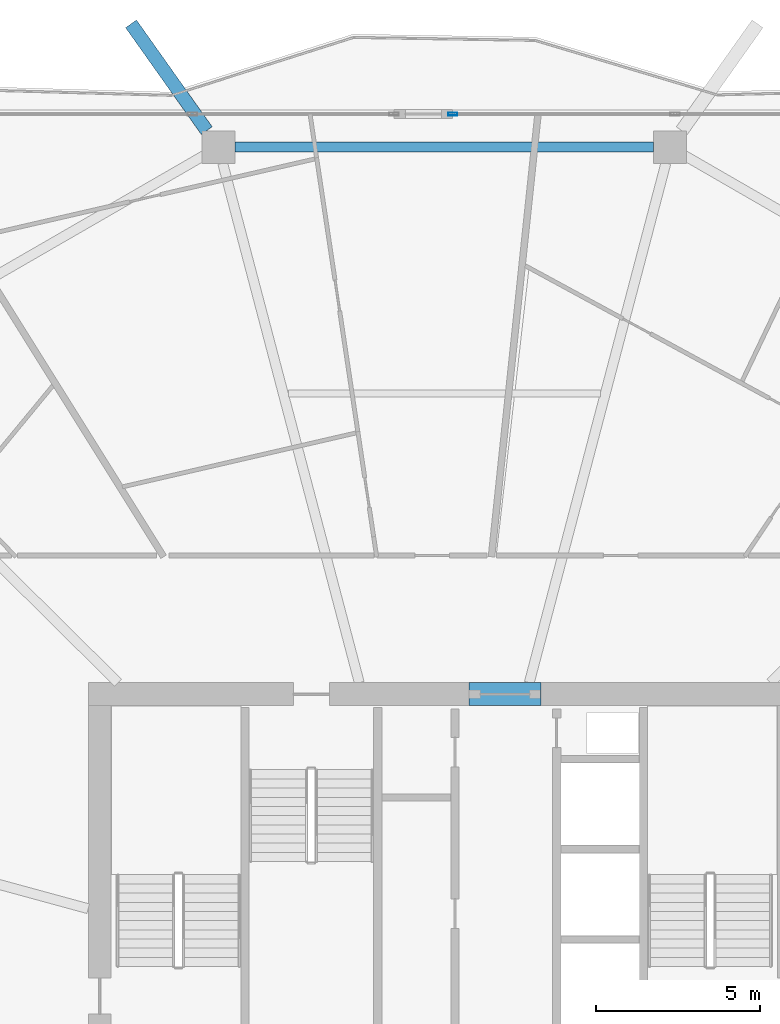
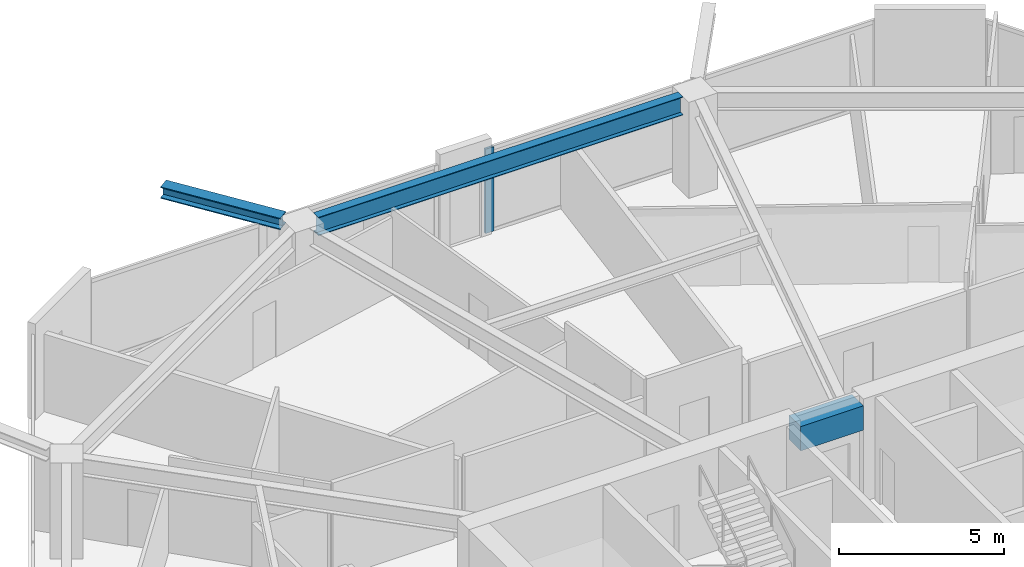
# One storey, part 14 of 27: 3 beams, 1 member, 1 element without a shape of its own.
"""IFC4 building model written with IfcOpenShell, lengths in metres."""

import ifcopenshell
import ifcopenshell.guid

model = None  # the IFC model being written
_history = None  # IfcOwnerHistory: only IFC2X3 demands one
_inside = {}  # id of a spatial element -> (the spatial element, [elements in it])
_under = {}  # id of a project, library or spatial element -> (it, [spatial elements below it])
_declared = {}  # id of a project -> (the project, [libraries it declares])
_typed = {}  # id of a type object -> (the type object, [elements of that type])
_made_of = {}  # id of a material, layer set ... -> (it, [elements and type objects made of it])


def new_model(schema):
    """Start an empty IFC model of exactly this schema.

    Asked for "IFC4X3", IfcOpenShell would pick the latest addendum, in which some entities
    have other attributes; the version numbers below select the first issue.
    IFC2X3 requires an IfcOwnerHistory on every rooted entity: one is made here for all.
    """
    global model, _history
    if schema == "IFC4X3":
        model = ifcopenshell.file(schema_version=(4, 3, 0, 0))
    else:
        model = ifcopenshell.file(schema=schema)
    _inside.clear()
    _under.clear()
    _declared.clear()
    _typed.clear()
    _made_of.clear()
    _history = None
    if model.schema == "IFC2X3":
        org = make("IfcOrganization", Name="unknown")
        user = make(
            "IfcPersonAndOrganization",
            ThePerson=make("IfcPerson", FamilyName="unknown"),
            TheOrganization=org,
        )
        app = make(
            "IfcApplication",
            ApplicationDeveloper=org,
            Version="unknown",
            ApplicationFullName="unknown",
            ApplicationIdentifier="unknown",
        )
        _history = make(
            "IfcOwnerHistory",
            OwningUser=user,
            OwningApplication=app,
            ChangeAction="ADDED",
            CreationDate=0,
        )
    return model


def make(cls, **values):
    """One entity of the class cls with the attributes given. An attribute that is None is left unset."""
    return model.create_entity(
        cls, **{name: value for name, value in values.items() if value is not None}
    )


def rooted(cls, **values):
    """An entity with a GlobalId (a new one), such as an element, a storey or a relation."""
    return make(cls, GlobalId=ifcopenshell.guid.new(), OwnerHistory=_history, **values)


def si_unit(unit_type, name, prefix=None):
    """IfcSIUnit, for example si_unit("LENGTHUNIT", "METRE", prefix="MILLI")."""
    return make("IfcSIUnit", UnitType=unit_type, Prefix=prefix, Name=name)


def assignment(units):
    """IfcUnitAssignment: the units of a project."""
    return None if units is None else make("IfcUnitAssignment", Units=units)


def point(xyz):
    """IfcCartesianPoint."""
    return None if xyz is None else make("IfcCartesianPoint", Coordinates=xyz)


def direction(xyz):
    """IfcDirection."""
    return None if xyz is None else make("IfcDirection", DirectionRatios=xyz)


def frame(location, z_axis=None, x_axis=None):
    """IfcAxis2Placement3D, a coordinate frame: its origin and axes. An axis left out is left unset."""
    return make(
        "IfcAxis2Placement3D",
        Location=point(location),
        Axis=direction(z_axis),
        RefDirection=direction(x_axis),
    )


def frame_2d(location, x_axis=None):
    """IfcAxis2Placement2D, a coordinate frame in the plane: its origin and x axis."""
    return make(
        "IfcAxis2Placement2D", Location=point(location), RefDirection=direction(x_axis)
    )


def origin():
    """The frame at (0, 0, 0) with its axes left unset."""
    return frame((0.0, 0.0, 0.0))


def origin_2d():
    """The frame at (0, 0) in the plane with its x axis left unset."""
    return frame_2d((0.0, 0.0))


def place(relative_to, where):
    """IfcLocalPlacement: puts the frame where relative to a parent placement (None: the world)."""
    return make(
        "IfcLocalPlacement", PlacementRelTo=relative_to, RelativePlacement=where
    )


def context(
    kind, dimensions, precision=None, world=None, true_north=None, identifier=None
):
    """IfcGeometricRepresentationContext, for example the 3D "Model" context."""
    return make(
        "IfcGeometricRepresentationContext",
        ContextIdentifier=identifier,
        ContextType=kind,
        CoordinateSpaceDimension=dimensions,
        Precision=precision,
        WorldCoordinateSystem=world,
        TrueNorth=true_north,
    )


def subcontext(parent, identifier, kind, view, scale=None):
    """IfcGeometricRepresentationSubContext, for example "Body" below "Model"."""
    return make(
        "IfcGeometricRepresentationSubContext",
        ContextIdentifier=identifier,
        ContextType=kind,
        ParentContext=parent,
        TargetScale=scale,
        TargetView=view,
    )


def project(units=None, contexts=None):
    """IfcProject with its units and contexts."""
    return rooted(
        "IfcProject",
        Name="project",
        RepresentationContexts=contexts,
        UnitsInContext=assignment(units),
    )


def spatial(cls, under=None, at=None, **own):
    """A site, building, storey or space (cls), placed at a placement, below another one or the project."""
    s = rooted(cls, ObjectPlacement=at, **own)
    if under is not None:
        _under.setdefault(under.id(), (under, []))[1].append(s)
    return s


def profile(cls, at=None, kind="AREA", **sizes):
    """A parametric profile (cls). Its sizes go by their IFC names, for example OverallWidth=200.0."""
    return make(cls, ProfileType=kind, Position=at, **sizes)


def rectangle(**sizes):
    """IfcRectangleProfileDef."""
    return profile("IfcRectangleProfileDef", **sizes)


def hollow_rectangle(**sizes):
    """IfcRectangleHollowProfileDef."""
    return profile("IfcRectangleHollowProfileDef", **sizes)


def i_section(**sizes):
    """IfcIShapeProfileDef."""
    return profile("IfcIShapeProfileDef", **sizes)


def extrude(swept, where, along, depth):
    """IfcExtrudedAreaSolid: the profile swept, set in the frame where, extruded along a direction by depth."""
    return make(
        "IfcExtrudedAreaSolid",
        SweptArea=swept,
        Position=where,
        ExtrudedDirection=direction(along),
        Depth=depth,
    )


def shape(context_of_items, identifier, shape_type, items):
    """IfcShapeRepresentation: the items that make up one representation, for example the "Body"."""
    return make(
        "IfcShapeRepresentation",
        ContextOfItems=context_of_items,
        RepresentationIdentifier=identifier,
        RepresentationType=shape_type,
        Items=items,
    )


def material(Name=None, Category=None):
    """IfcMaterial."""
    return make("IfcMaterial", Name=Name, Category=Category)


def material_profile(
    of_material, cross_section, Name=None, Category=None, Priority=None
):
    """IfcMaterialProfile: a cross section and its material."""
    return make(
        "IfcMaterialProfile",
        Name=Name,
        Material=of_material,
        Profile=cross_section,
        Priority=Priority,
        Category=Category,
    )


def profile_set(profiles, Name=None, composite=None):
    """IfcMaterialProfileSet."""
    return make(
        "IfcMaterialProfileSet",
        Name=Name,
        MaterialProfiles=profiles,
        CompositeProfile=composite,
    )


def made_of(thing, what):
    """Note that an element or type object is made of a material, layer set ...; save() writes the relation."""
    if what is not None:
        _made_of.setdefault(what.id(), (what, []))[1].append(thing)
    return thing


def type_object(cls, material=None, **own):
    """A type object (cls), such as IfcWallType, which elements share."""
    return made_of(rooted(cls, **own), material)


def element(
    cls,
    number,
    at=None,
    inside=None,
    cuts=None,
    type_object=None,
    material=None,
    context=None,
    identifier="Body",
    shape_type=None,
    held_by="IfcProductDefinitionShape",
    body=None,
    shapes=None,
    **own,
):
    """One element of the class cls, such as IfcWall. Its Tag is "e" and its number.

    at: its placement. inside: the storey or other place that contains it. cuts: it is an
    opening in that element (IfcRelVoidsElement). A single representation is given by context,
    identifier, shape_type and body (its items); several are given by shapes. held_by: the class
    of the entity that holds the representations. save() writes the other relations.
    """
    e = rooted(cls, Tag="e%d" % number, ObjectPlacement=at, **own)
    if body is not None:
        shapes = [shape(context, identifier, shape_type, body)]
    if shapes is not None:
        e.Representation = make(held_by, Representations=shapes)
    if inside is not None:
        _inside.setdefault(inside.id(), (inside, []))[1].append(e)
    if cuts is not None:
        rooted(
            "IfcRelVoidsElement", RelatingBuildingElement=cuts, RelatedOpeningElement=e
        )
    if type_object is not None:
        _typed.setdefault(type_object.id(), (type_object, []))[1].append(e)
    return made_of(e, material)


def aggregate(whole, parts):
    """IfcRelAggregates: a whole, such as a stair, and the parts it consists of."""
    return rooted("IfcRelAggregates", RelatingObject=whole, RelatedObjects=parts)


def save(model, path):
    """Write the relations noted so far, then the file.

    IfcRelAggregates (storeys below a building ...), IfcRelContainedInSpatialStructure (elements
    in a storey), IfcRelDefinesByType, IfcRelAssociatesMaterial and IfcRelDeclares: one each for
    every whole, place, type object, material and project.
    """
    for whole, parts in _under.values():
        aggregate(whole, parts)
    for where, things in _inside.values():
        rooted(
            "IfcRelContainedInSpatialStructure",
            RelatedElements=things,
            RelatingStructure=where,
        )
    for kind, things in _typed.values():
        rooted("IfcRelDefinesByType", RelatedObjects=things, RelatingType=kind)
    for what, things in _made_of.values():
        rooted("IfcRelAssociatesMaterial", RelatedObjects=things, RelatingMaterial=what)
    for by, libraries in _declared.values():
        rooted("IfcRelDeclares", RelatingContext=by, RelatedDefinitions=libraries)
    model.write(path)


model = new_model("IFC4")

# Units and contexts
model_context = context("Model", 3, precision=1e-05, world=origin(), true_north=direction((0.0, 1.0)))
body_context = subcontext(model_context, "Body", "Model", "MODEL_VIEW")
ifc_project = project(units=[si_unit("LENGTHUNIT", "METRE"), si_unit("AREAUNIT", "SQUARE_METRE"), si_unit("VOLUMEUNIT", "CUBIC_METRE"), si_unit("PLANEANGLEUNIT", "RADIAN"), si_unit("MASSUNIT", "GRAM", prefix="KILO")], contexts=[model_context])

# Site, building, storey
site_placement = place(None, origin())
site = spatial("IfcSite", under=ifc_project, at=site_placement, CompositionType="ELEMENT")
building_placement = place(site_placement, origin())
building = spatial("IfcBuilding", under=site, at=building_placement, Name="Zuhravey Tower", CompositionType="ELEMENT")
storey_placement = place(building_placement, frame((0.0, 0.0, 173.199951171875)))
storey = spatial("IfcBuildingStorey", under=building, at=storey_placement, Name="L43", CompositionType="ELEMENT", Elevation=173.199951171875)

# Beam
ifc_material_1 = material(Name="Concrete C60/75", Category="concrete")
ifc_material_profile_1 = material_profile(ifc_material_1, rectangle(XDim=0.699951171875, YDim=0.89990234375, at=origin_2d()), Name="RC-700x900")
ifc_profile_set_1 = profile_set([ifc_material_profile_1], Name="Concrete C60/75")
beam_type_1 = type_object("IfcBeamType", Name="Core Coupling Beam RC700x900", PredefinedType="LINTEL", material=ifc_profile_set_1)
beam_1_placement = place(storey_placement, frame((36.751953125, 41.5, 3.10009765625), z_axis=(1.0, 0.0, 0.0), x_axis=(0.0, 1.0, 0.0)))
element("IfcBeam", 1, at=beam_1_placement, inside=storey, type_object=beam_type_1, Name="L43 CB1 BM-L43-CB-N", PredefinedType="LINTEL", context=body_context, shape_type="SweptSolid", body=[
    extrude(rectangle(XDim=0.699951171875, YDim=0.89990234375, at=origin_2d()), origin(), (0.0, 0.0, 1.0), 2.196044921875),
])

# Curtain wall, member
ifc_material_2 = material(Name="Thermally broken anodised aluminium", Category="aluminium")
curtain_wall_type = type_object("IfcCurtainWallType", Name="Zone 1-2 Residential Curtain Wall CW3", PredefinedType="NOTDEFINED", material=ifc_material_2)
curtain_wall_placement = place(storey_placement, origin())
curtain_wall = element("IfcCurtainWall", 2, at=curtain_wall_placement, inside=storey, type_object=curtain_wall_type, Name="L43 CW3 CW-L43-F2-2", PredefinedType="NOTDEFINED")
ifc_material_3 = material(Name="Anodised aluminium", Category="aluminium")
ifc_material_profile_2 = material_profile(ifc_material_3, hollow_rectangle(XDim=0.090087890625, YDim=0.284912109375, WallThickness=0.0048828125, at=origin_2d()), Name="ALU-RHS-90x285x5")
ifc_profile_set_2 = profile_set([ifc_material_profile_2], Name="Anodised aluminium")
member_type = type_object("IfcMemberType", Name="Curtain-Wall Mullion 90x180", PredefinedType="MULLION", material=ifc_profile_set_2)
member_placement = place(storey_placement, frame((36.258056640625, 59.18310546875, 0.0), z_axis=(0.0, 0.0, 1.0), x_axis=(0.0, 1.0, 0.0)))
member = element("IfcMember", 3, at=member_placement, type_object=member_type, Name="CW3 mullion 1", PredefinedType="MULLION", context=body_context, shape_type="SweptSolid", body=[
    extrude(hollow_rectangle(XDim=0.090087890625, YDim=0.284912109375, WallThickness=0.0048828125, at=origin_2d()), origin(), (0.0, 0.0, 1.0), 3.1220703125),
])
aggregate(curtain_wall, [member])

# Beams
ifc_material_4 = material(Name="Steel SM460", Category="steel")
ifc_material_profile_3 = material_profile(ifc_material_4, i_section(OverallWidth=0.406982421875, OverallDepth=0.427978515625, WebThickness=0.02001953125, FlangeThickness=0.034912109375, at=origin_2d()), Name="H-428x407x20x35")
ifc_profile_set_3 = profile_set([ifc_material_profile_3], Name="Steel SM460")
beam_type_2 = type_object("IfcBeamType", Name="Exoskeleton Node Tie Beam H428x407", PredefinedType="BEAM", material=ifc_profile_set_3)
beam_2_placement = place(storey_placement, frame((28.76123046875, 58.67626953125, 3.3359375), z_axis=(-0.578392499994, 0.815758613777, 0.0), x_axis=(-0.815758613777, -0.578392499994, 0.0)))
element("IfcBeam", 4, at=beam_2_placement, inside=storey, type_object=beam_type_2, Name="L43 Exoskeleton Node Tie NT1-04", PredefinedType="BEAM", context=body_context, shape_type="SweptSolid", body=[
    extrude(i_section(OverallWidth=0.406982421875, OverallDepth=0.427978515625, WebThickness=0.02001953125, FlangeThickness=0.034912109375, at=origin_2d()), origin(), (0.0, 0.0, 1.0), 3.98974609375),
])
ifc_material_5 = material(Name="Steel SM355", Category="steel")
ifc_material_profile_4 = material_profile(ifc_material_5, i_section(OverallWidth=0.300048828125, OverallDepth=0.679931640625, WebThickness=0.012939453125, FlangeThickness=0.02197265625, at=origin_2d()), Name="H-680x300x13x22")
ifc_profile_set_4 = profile_set([ifc_material_profile_4], Name="Steel SM355")
beam_type_3 = type_object("IfcBeamType", Name="Perimeter Ring Beam H680x300", PredefinedType="BEAM", material=ifc_profile_set_4)
beam_3_placement = place(storey_placement, frame((42.37890625, 58.173095703125, 3.2099609375), z_axis=(-1.0, 0.0, 0.0), x_axis=(0.0, -1.0, 0.0)))
element("IfcBeam", 5, at=beam_3_placement, inside=storey, type_object=beam_type_3, Name="L43 PB2 BM-L43-PB-03", PredefinedType="BEAM", context=body_context, shape_type="SweptSolid", body=[
    extrude(i_section(OverallWidth=0.300048828125, OverallDepth=0.679931640625, WebThickness=0.012939453125, FlangeThickness=0.02197265625, at=origin_2d()), origin(), (0.0, 0.0, 1.0), 12.7578125),
])

save(model, "model.ifc")
